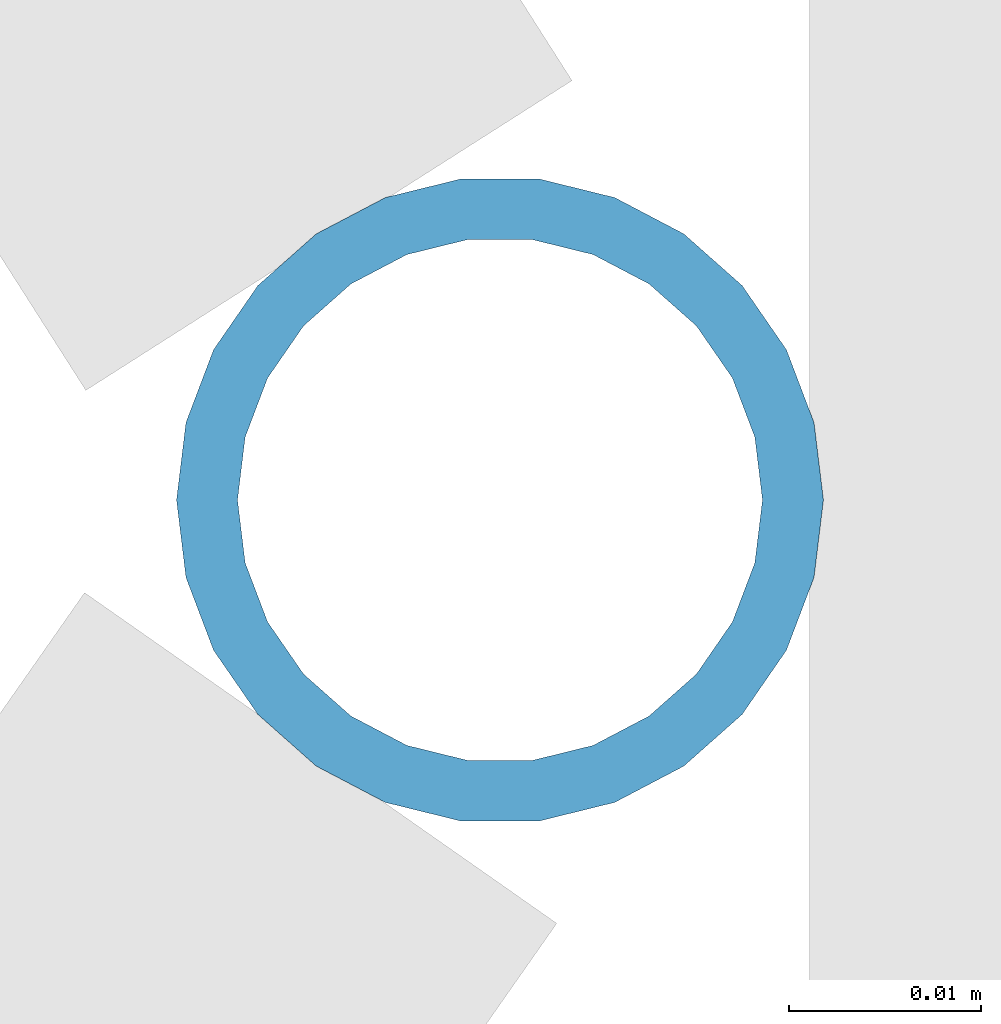
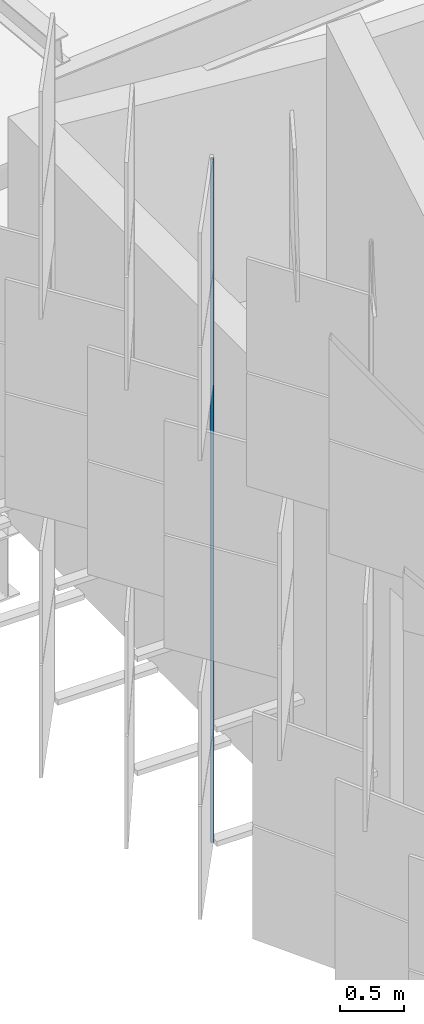
# One storey, part 196 of 483: 1 discrete accessory.
"""IFC4 building model written with IfcOpenShell, lengths in metres."""

from ifc_helpers import new_model, si_unit, direction, frame, origin, origin_2d, place, context, subcontext, project, spatial, hollow_circle, extrude, material, material_profile, profile_set, type_object, element, save


model = new_model("IFC4")

# Units and contexts
model_context = context("Model", 3, precision=1e-05, world=origin(), true_north=direction((0.0, 1.0)))
body_context = subcontext(model_context, "Body", "Model", "MODEL_VIEW")
ifc_project = project(units=[si_unit("LENGTHUNIT", "METRE"), si_unit("AREAUNIT", "SQUARE_METRE"), si_unit("VOLUMEUNIT", "CUBIC_METRE"), si_unit("PLANEANGLEUNIT", "RADIAN"), si_unit("MASSUNIT", "GRAM", prefix="KILO")], contexts=[model_context])

# Site, building, storey
site_placement = place(None, origin())
site = spatial("IfcSite", under=ifc_project, at=site_placement, CompositionType="ELEMENT")
building_placement = place(site_placement, origin())
building = spatial("IfcBuilding", under=site, at=building_placement, Name="Parallax Yard Mobility Hub", CompositionType="ELEMENT")
storey_placement = place(building_placement, frame((0.0, 0.0, 13.199951171875)))
storey = spatial("IfcBuildingStorey", under=building, at=storey_placement, Name="L04", CompositionType="ELEMENT", Elevation=13.199951171875)

# Discrete accessory
ifc_material = material(Name="Steel ASTM A500 Gr C, hot-dip galvanised", Category="steel")
ifc_material_profile = material_profile(ifc_material, hollow_circle(Radius=0.016845703125, WallThickness=0.003173828125, at=origin_2d()), Name="CHS 33.7x3.2")
ifc_profile_set = profile_set([ifc_material_profile], Name="Steel ASTM A500 Gr C, hot-dip galvanised")
discrete_accessory_type = type_object("IfcDiscreteAccessoryType", Name="Hinge post CHS 33.7x3.2", PredefinedType="BRACKET", material=ifc_profile_set)
discrete_accessory_placement = place(storey_placement, frame((194.1923828125, 85.39892578125, 0.0), z_axis=(0.0, 0.0, 1.0), x_axis=(1.0, 0.0, 0.0)))
element("IfcDiscreteAccessory", 1, at=discrete_accessory_placement, inside=storey, type_object=discrete_accessory_type, Name="Hinge post bay 23.5 level L04", PredefinedType="BRACKET", context=body_context, shape_type="SweptSolid", body=[
    extrude(hollow_circle(Radius=0.016845703125, WallThickness=0.003173828125, at=origin_2d()), origin(), (0.0, 0.0, 1.0), 6.550048828125),
])

save(model, "model.ifc")
